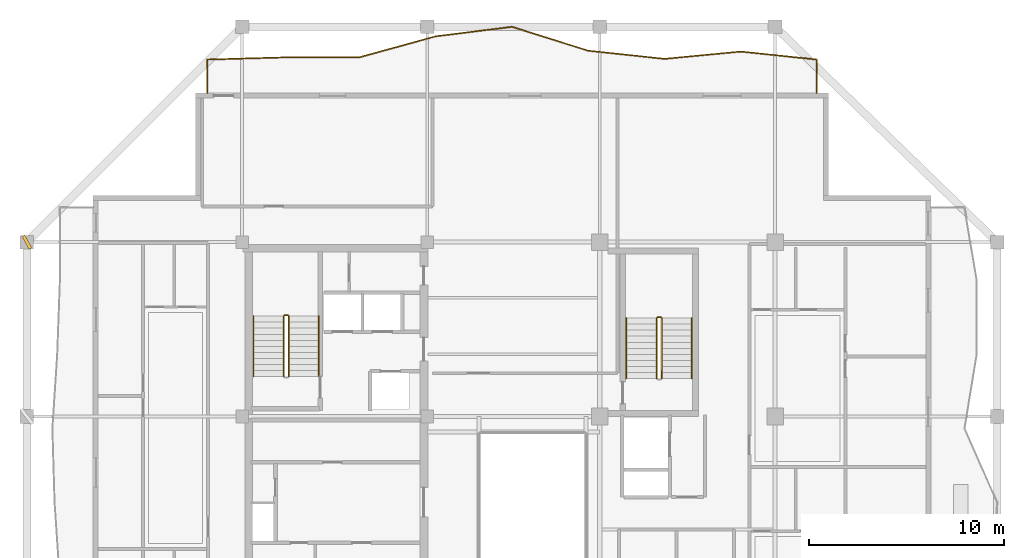
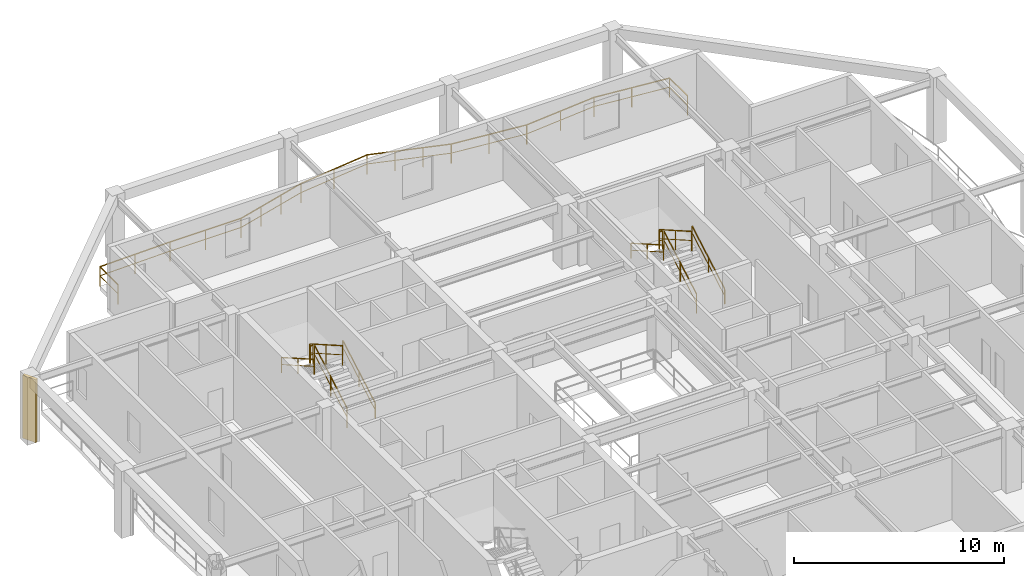
# One storey, part 11 of 12: 11 railings, 1 shading device.
"""IFC4 building model written with IfcOpenShell, lengths in metres."""

from ifc_helpers import new_model, si_unit, direction, frame, origin, origin_2d, place, context, subcontext, project, spatial, rectangle, extrude, material, type_object, element, save


model = new_model("IFC4")

# Units and contexts
model_context = context("Model", 3, precision=1e-05, world=origin(), true_north=direction((0.0, 1.0)))
body_context = subcontext(model_context, "Body", "Model", "MODEL_VIEW")
ifc_project = project(units=[si_unit("LENGTHUNIT", "METRE"), si_unit("AREAUNIT", "SQUARE_METRE"), si_unit("VOLUMEUNIT", "CUBIC_METRE"), si_unit("PLANEANGLEUNIT", "RADIAN"), si_unit("MASSUNIT", "GRAM", prefix="KILO")], contexts=[model_context])

# Site, building, storey
site_placement = place(None, origin())
site = spatial("IfcSite", under=ifc_project, at=site_placement, CompositionType="ELEMENT")
building_placement = place(site_placement, origin())
building = spatial("IfcBuilding", under=site, at=building_placement, Name="Kundavana Baori Tower", CompositionType="ELEMENT")
storey_placement = place(building_placement, frame((0.0, 0.0, 241.39990234375)))
storey = spatial("IfcBuildingStorey", under=building, at=storey_placement, Name="L59", CompositionType="ELEMENT", Elevation=241.39990234375)

# Railings
ifc_material_1 = material(Name="Architectural Patinated Bronze Metalwork")
railing_type_1 = type_object("IfcRailingType", Name="RL-BAL-1150", PredefinedType="BALUSTRADE", material=ifc_material_1)
railing_1_placement = place(storey_placement, frame((13.64990234375, 49.60009765625, 0.0)))
element("IfcRailing", 1, at=railing_1_placement, inside=storey, type_object=railing_type_1, Name="L59 Loggia Balcony Balustrade N", PredefinedType="BALUSTRADE", context=body_context, shape_type="SweptSolid", body=[
    extrude(rectangle(XDim=0.048095703125, YDim=0.048095703125, at=origin_2d()), frame((0.0, 0.0, 1.1259765625), z_axis=(0.0, 1.0, 0.0), x_axis=(-1.0, 0.0, 0.0)), (0.0, 0.0, 1.0), 1.719970703125),
    extrude(rectangle(XDim=0.03125, YDim=0.03125, at=origin_2d()), frame((0.0, 0.0, 0.597900390625), z_axis=(0.0, 1.0, 0.0), x_axis=(-1.0, 0.0, 0.0)), (0.0, 0.0, 1.0), 1.719970703125),
    extrude(rectangle(XDim=0.048095703125, YDim=0.048095703125, at=origin_2d()), frame((0.0, 1.719970703125, 1.1259765625), z_axis=(0.999598876166, 0.028321136407, 0.0), x_axis=(-0.028321136407, 0.999598876166, 0.0)), (0.0, 0.0, 1.0), 3.91357421875),
    extrude(rectangle(XDim=0.03125, YDim=0.03125, at=origin_2d()), frame((0.0, 1.719970703125, 0.597900390625), z_axis=(0.999598876166, 0.028321136407, 0.0), x_axis=(-0.028321136407, 0.999598876166, 0.0)), (0.0, 0.0, 1.0), 3.91357421875),
    extrude(rectangle(XDim=0.048095703125, YDim=0.048095703125, at=origin_2d()), frame((3.912109375, 1.830810546875, 1.1259765625), z_axis=(0.99999836316, 0.001809330704, 0.0), x_axis=(-0.001809330704, 0.99999836316, 0.0)), (0.0, 0.0, 1.0), 3.9130859375),
    extrude(rectangle(XDim=0.03125, YDim=0.03125, at=origin_2d()), frame((3.912109375, 1.830810546875, 0.597900390625), z_axis=(0.99999836316, 0.001809330704, 0.0), x_axis=(-0.001809330704, 0.99999836316, 0.0)), (0.0, 0.0, 1.0), 3.9130859375),
    extrude(rectangle(XDim=0.048095703125, YDim=0.048095703125, at=origin_2d()), frame((7.8251953125, 1.837890625, 1.1259765625), z_axis=(0.964150387558, 0.26535642101, 0.0), x_axis=(-0.26535642101, 0.964150387558, 0.0)), (0.0, 0.0, 1.0), 4.058349609375),
    extrude(rectangle(XDim=0.03125, YDim=0.03125, at=origin_2d()), frame((7.8251953125, 1.837890625, 0.597900390625), z_axis=(0.964150387558, 0.26535642101, 0.0), x_axis=(-0.26535642101, 0.964150387558, 0.0)), (0.0, 0.0, 1.0), 4.058349609375),
    extrude(rectangle(XDim=0.048095703125, YDim=0.048095703125, at=origin_2d()), frame((11.738037109375, 2.914794921875, 1.1259765625), z_axis=(0.992399355567, 0.12305900646, 0.0), x_axis=(-0.12305900646, 0.992399355567, 0.0)), (0.0, 0.0, 1.0), 3.942138671875),
    extrude(rectangle(XDim=0.03125, YDim=0.03125, at=origin_2d()), frame((11.738037109375, 2.914794921875, 0.597900390625), z_axis=(0.992399355567, 0.12305900646, 0.0), x_axis=(-0.12305900646, 0.992399355567, 0.0)), (0.0, 0.0, 1.0), 3.942138671875),
    extrude(rectangle(XDim=0.048095703125, YDim=0.048095703125, at=origin_2d()), frame((15.650146484375, 3.39990234375, 1.1259765625), z_axis=(0.954317732276, -0.298793684443, 0.0), x_axis=(0.298793684443, 0.954317732276, 0.0)), (0.0, 0.0, 1.0), 4.10009765625),
    extrude(rectangle(XDim=0.03125, YDim=0.03125, at=origin_2d()), frame((15.650146484375, 3.39990234375, 0.597900390625), z_axis=(0.954317732276, -0.298793684443, 0.0), x_axis=(0.298793684443, 0.954317732276, 0.0)), (0.0, 0.0, 1.0), 4.10009765625),
    extrude(rectangle(XDim=0.048095703125, YDim=0.048095703125, at=origin_2d()), frame((19.56298828125, 2.1748046875, 1.1259765625), z_axis=(0.994341035776, -0.106235138121, 0.0), x_axis=(0.106235138121, 0.994341035776, 0.0)), (0.0, 0.0, 1.0), 3.934326171875),
    extrude(rectangle(XDim=0.03125, YDim=0.03125, at=origin_2d()), frame((19.56298828125, 2.1748046875, 0.597900390625), z_axis=(0.994341035776, -0.106235138121, 0.0), x_axis=(0.106235138121, 0.994341035776, 0.0)), (0.0, 0.0, 1.0), 3.934326171875),
    extrude(rectangle(XDim=0.048095703125, YDim=0.048095703125, at=origin_2d()), frame((23.47509765625, 1.7568359375, 1.1259765625), z_axis=(0.995463034765, 0.095149074698, 0.0), x_axis=(-0.095149074698, 0.995463034765, 0.0)), (0.0, 0.0, 1.0), 3.930908203125),
    extrude(rectangle(XDim=0.03125, YDim=0.03125, at=origin_2d()), frame((23.47509765625, 1.7568359375, 0.597900390625), z_axis=(0.995463034765, 0.095149074698, 0.0), x_axis=(-0.095149074698, 0.995463034765, 0.0)), (0.0, 0.0, 1.0), 3.930908203125),
    extrude(rectangle(XDim=0.048095703125, YDim=0.048095703125, at=origin_2d()), frame((27.38818359375, 2.130859375, 1.1259765625), z_axis=(0.994528895054, -0.104461844247, 0.0), x_axis=(0.104461844247, 0.994528895054, 0.0)), (0.0, 0.0, 1.0), 3.933349609375),
    extrude(rectangle(XDim=0.03125, YDim=0.03125, at=origin_2d()), frame((27.38818359375, 2.130859375, 0.597900390625), z_axis=(0.994528895054, -0.104461844247, 0.0), x_axis=(0.104461844247, 0.994528895054, 0.0)), (0.0, 0.0, 1.0), 3.933349609375),
    extrude(rectangle(XDim=0.048095703125, YDim=0.048095703125, at=origin_2d()), frame((31.300048828125, 1.719970703125, 1.1259765625), z_axis=(0.0, -1.0, 0.0), x_axis=(1.0, 0.0, 0.0)), (0.0, 0.0, 1.0), 1.719970703125),
    extrude(rectangle(XDim=0.03125, YDim=0.03125, at=origin_2d()), frame((31.300048828125, 1.719970703125, 0.597900390625), z_axis=(0.0, -1.0, 0.0), x_axis=(1.0, 0.0, 0.0)), (0.0, 0.0, 1.0), 1.719970703125),
    extrude(rectangle(XDim=0.0419921875, YDim=0.0419921875, at=origin_2d()), origin(), (0.0, 0.0, 1.0), 1.101806640625),
    extrude(rectangle(XDim=0.0419921875, YDim=0.0419921875, at=origin_2d()), frame((0.0, 1.719970703125, 0.0)), (0.0, 0.0, 1.0), 1.101806640625),
    extrude(rectangle(XDim=0.0419921875, YDim=0.0419921875, at=origin_2d()), frame((1.9560546875, 1.775390625, 0.0)), (0.0, 0.0, 1.0), 1.101806640625),
    extrude(rectangle(XDim=0.0419921875, YDim=0.0419921875, at=origin_2d()), frame((3.912109375, 1.830810546875, 0.0)), (0.0, 0.0, 1.0), 1.101806640625),
    extrude(rectangle(XDim=0.0419921875, YDim=0.0419921875, at=origin_2d()), frame((5.86865234375, 1.83447265625, 0.0)), (0.0, 0.0, 1.0), 1.101806640625),
    extrude(rectangle(XDim=0.0419921875, YDim=0.0419921875, at=origin_2d()), frame((7.8251953125, 1.837890625, 0.0)), (0.0, 0.0, 1.0), 1.101806640625),
    extrude(rectangle(XDim=0.0419921875, YDim=0.0419921875, at=origin_2d()), frame((9.12939453125, 2.19677734375, 0.0)), (0.0, 0.0, 1.0), 1.101806640625),
    extrude(rectangle(XDim=0.0419921875, YDim=0.0419921875, at=origin_2d()), frame((10.433837890625, 2.555908203125, 0.0)), (0.0, 0.0, 1.0), 1.101806640625),
    extrude(rectangle(XDim=0.0419921875, YDim=0.0419921875, at=origin_2d()), frame((11.738037109375, 2.914794921875, 0.0)), (0.0, 0.0, 1.0), 1.101806640625),
    extrude(rectangle(XDim=0.0419921875, YDim=0.0419921875, at=origin_2d()), frame((13.694091796875, 3.1572265625, 0.0)), (0.0, 0.0, 1.0), 1.101806640625),
    extrude(rectangle(XDim=0.0419921875, YDim=0.0419921875, at=origin_2d()), frame((15.650146484375, 3.39990234375, 0.0)), (0.0, 0.0, 1.0), 1.101806640625),
    extrude(rectangle(XDim=0.0419921875, YDim=0.0419921875, at=origin_2d()), frame((16.954345703125, 2.991455078125, 0.0)), (0.0, 0.0, 1.0), 1.101806640625),
    extrude(rectangle(XDim=0.0419921875, YDim=0.0419921875, at=origin_2d()), frame((18.2587890625, 2.583251953125, 0.0)), (0.0, 0.0, 1.0), 1.101806640625),
    extrude(rectangle(XDim=0.0419921875, YDim=0.0419921875, at=origin_2d()), frame((19.56298828125, 2.1748046875, 0.0)), (0.0, 0.0, 1.0), 1.101806640625),
    extrude(rectangle(XDim=0.0419921875, YDim=0.0419921875, at=origin_2d()), frame((21.51904296875, 1.9658203125, 0.0)), (0.0, 0.0, 1.0), 1.101806640625),
    extrude(rectangle(XDim=0.0419921875, YDim=0.0419921875, at=origin_2d()), frame((23.47509765625, 1.7568359375, 0.0)), (0.0, 0.0, 1.0), 1.101806640625),
    extrude(rectangle(XDim=0.0419921875, YDim=0.0419921875, at=origin_2d()), frame((25.431640625, 1.94384765625, 0.0)), (0.0, 0.0, 1.0), 1.101806640625),
    extrude(rectangle(XDim=0.0419921875, YDim=0.0419921875, at=origin_2d()), frame((27.38818359375, 2.130859375, 0.0)), (0.0, 0.0, 1.0), 1.101806640625),
    extrude(rectangle(XDim=0.0419921875, YDim=0.0419921875, at=origin_2d()), frame((29.34423828125, 1.92529296875, 0.0)), (0.0, 0.0, 1.0), 1.101806640625),
    extrude(rectangle(XDim=0.0419921875, YDim=0.0419921875, at=origin_2d()), frame((31.300048828125, 1.719970703125, 0.0)), (0.0, 0.0, 1.0), 1.101806640625),
    extrude(rectangle(XDim=0.0419921875, YDim=0.0419921875, at=origin_2d()), frame((31.300048828125, 0.0, 0.0)), (0.0, 0.0, 1.0), 1.101806640625),
])
ifc_material_2 = material(Name="Architectural Patinated Bronze Metalwork")
railing_type_2 = type_object("IfcRailingType", Name="RL-GRD-1150", PredefinedType="GUARDRAIL", material=ifc_material_2)
railing_2_placement = place(storey_placement, frame((17.840087890625, 35.050048828125, 0.177490234375)))
element("IfcRailing", 2, at=railing_2_placement, inside=storey, type_object=railing_type_2, Name="L59 ST2 stair guard 1", PredefinedType="GUARDRAIL", context=body_context, shape_type="SweptSolid", body=[
    extrude(rectangle(XDim=0.048095703125, YDim=0.048095703125, at=origin_2d()), frame((0.0, 0.0, 1.1259765625), z_axis=(0.0, 0.868079009454, 0.496426060301), x_axis=(-1.0, 0.0, 0.0)), (0.0, 0.0, 1.0), 3.571044921875),
    extrude(rectangle(XDim=0.03125, YDim=0.03125, at=origin_2d()), frame((0.0, 0.0, 0.597900390625), z_axis=(0.0, 0.868079009454, 0.496426060301), x_axis=(-1.0, 0.0, 0.0)), (0.0, 0.0, 1.0), 3.571044921875),
    extrude(rectangle(XDim=0.0419921875, YDim=0.0419921875, at=origin_2d()), origin(), (0.0, 0.0, 1.0), 1.101806640625),
    extrude(rectangle(XDim=0.0419921875, YDim=0.0419921875, at=origin_2d()), frame((0.0, 1.5498046875, 0.88623046875)), (0.0, 0.0, 1.0), 1.101806640625),
    extrude(rectangle(XDim=0.0419921875, YDim=0.0419921875, at=origin_2d()), frame((0.0, 3.099853515625, 1.772705078125)), (0.0, 0.0, 1.0), 1.101806640625),
])
railing_3_placement = place(storey_placement, frame((17.7900390625, 38.199951171875, 1.9501953125)))
element("IfcRailing", 3, at=railing_3_placement, inside=storey, type_object=railing_type_2, Name="L59 ST2 stair guard 2", PredefinedType="GUARDRAIL", context=body_context, shape_type="SweptSolid", body=[
    extrude(rectangle(XDim=0.048095703125, YDim=0.048095703125, at=origin_2d()), frame((0.0, 0.0, 1.1259765625), z_axis=(-1.0, 0.0, 0.0), x_axis=(0.0, -1.0, 0.0)), (0.0, 0.0, 1.0), 0.16015625),
    extrude(rectangle(XDim=0.03125, YDim=0.03125, at=origin_2d()), frame((0.0, 0.0, 0.597900390625), z_axis=(-1.0, 0.0, 0.0), x_axis=(0.0, -1.0, 0.0)), (0.0, 0.0, 1.0), 0.16015625),
    extrude(rectangle(XDim=0.0419921875, YDim=0.0419921875, at=origin_2d()), origin(), (0.0, 0.0, 1.0), 1.101806640625),
    extrude(rectangle(XDim=0.0419921875, YDim=0.0419921875, at=origin_2d()), frame((-0.16015625, 0.0, 0.0)), (0.0, 0.0, 1.0), 1.101806640625),
])
railing_4_placement = place(storey_placement, frame((17.580078125, 38.14990234375, 2.12744140625)))
element("IfcRailing", 4, at=railing_4_placement, inside=storey, type_object=railing_type_2, Name="L59 ST2 stair guard 3", PredefinedType="GUARDRAIL", context=body_context, shape_type="SweptSolid", body=[
    extrude(rectangle(XDim=0.048095703125, YDim=0.048095703125, at=origin_2d()), frame((0.0, 0.0, 1.1259765625), z_axis=(0.0, -0.868079009454, 0.496426060301), x_axis=(1.0, 0.0, 0.0)), (0.0, 0.0, 1.0), 3.571044921875),
    extrude(rectangle(XDim=0.03125, YDim=0.03125, at=origin_2d()), frame((0.0, 0.0, 0.597900390625), z_axis=(0.0, -0.868079009454, 0.496426060301), x_axis=(1.0, 0.0, 0.0)), (0.0, 0.0, 1.0), 3.571044921875),
    extrude(rectangle(XDim=0.0419921875, YDim=0.0419921875, at=origin_2d()), origin(), (0.0, 0.0, 1.0), 1.101806640625),
    extrude(rectangle(XDim=0.0419921875, YDim=0.0419921875, at=origin_2d()), frame((0.0, -1.5498046875, 0.88623046875)), (0.0, 0.0, 1.0), 1.101806640625),
    extrude(rectangle(XDim=0.0419921875, YDim=0.0419921875, at=origin_2d()), frame((0.0, -3.099853515625, 1.772705078125)), (0.0, 0.0, 1.0), 1.101806640625),
])
railing_5_placement = place(storey_placement, frame((36.97998046875, 34.949951171875, 0.177490234375)))
element("IfcRailing", 5, at=railing_5_placement, inside=storey, type_object=railing_type_2, Name="L59 ST3 stair guard 1", PredefinedType="GUARDRAIL", context=body_context, shape_type="SweptSolid", body=[
    extrude(rectangle(XDim=0.048095703125, YDim=0.048095703125, at=origin_2d()), frame((0.0, 0.0, 1.1259765625), z_axis=(0.0, 0.868095856688, 0.496396599103), x_axis=(-1.0, 0.0, 0.0)), (0.0, 0.0, 1.0), 3.571044921875),
    extrude(rectangle(XDim=0.03125, YDim=0.03125, at=origin_2d()), frame((0.0, 0.0, 0.597900390625), z_axis=(0.0, 0.868095856688, 0.496396599103), x_axis=(-1.0, 0.0, 0.0)), (0.0, 0.0, 1.0), 3.571044921875),
    extrude(rectangle(XDim=0.0419921875, YDim=0.0419921875, at=origin_2d()), origin(), (0.0, 0.0, 1.0), 1.101806640625),
    extrude(rectangle(XDim=0.0419921875, YDim=0.0419921875, at=origin_2d()), frame((0.0, 1.550048828125, 0.88623046875)), (0.0, 0.0, 1.0), 1.101806640625),
    extrude(rectangle(XDim=0.0419921875, YDim=0.0419921875, at=origin_2d()), frame((0.0, 3.10009765625, 1.772705078125)), (0.0, 0.0, 1.0), 1.101806640625),
])
railing_6_placement = place(storey_placement, frame((36.929931640625, 38.10009765625, 1.9501953125)))
element("IfcRailing", 6, at=railing_6_placement, inside=storey, type_object=railing_type_2, Name="L59 ST3 stair guard 2", PredefinedType="GUARDRAIL", context=body_context, shape_type="SweptSolid", body=[
    extrude(rectangle(XDim=0.048095703125, YDim=0.048095703125, at=origin_2d()), frame((0.0, 0.0, 1.1259765625), z_axis=(-1.0, 0.0, 0.0), x_axis=(0.0, -1.0, 0.0)), (0.0, 0.0, 1.0), 0.159912109375),
    extrude(rectangle(XDim=0.03125, YDim=0.03125, at=origin_2d()), frame((0.0, 0.0, 0.597900390625), z_axis=(-1.0, 0.0, 0.0), x_axis=(0.0, -1.0, 0.0)), (0.0, 0.0, 1.0), 0.159912109375),
    extrude(rectangle(XDim=0.0419921875, YDim=0.0419921875, at=origin_2d()), origin(), (0.0, 0.0, 1.0), 1.101806640625),
    extrude(rectangle(XDim=0.0419921875, YDim=0.0419921875, at=origin_2d()), frame((-0.159912109375, 0.0, 0.0)), (0.0, 0.0, 1.0), 1.101806640625),
])
railing_7_placement = place(storey_placement, frame((36.719970703125, 38.050048828125, 2.12744140625)))
element("IfcRailing", 7, at=railing_7_placement, inside=storey, type_object=railing_type_2, Name="L59 ST3 stair guard 3", PredefinedType="GUARDRAIL", context=body_context, shape_type="SweptSolid", body=[
    extrude(rectangle(XDim=0.048095703125, YDim=0.048095703125, at=origin_2d()), frame((0.0, 0.0, 1.1259765625), z_axis=(0.0, -0.868095856688, 0.496396599103), x_axis=(1.0, 0.0, 0.0)), (0.0, 0.0, 1.0), 3.571044921875),
    extrude(rectangle(XDim=0.03125, YDim=0.03125, at=origin_2d()), frame((0.0, 0.0, 0.597900390625), z_axis=(0.0, -0.868095856688, 0.496396599103), x_axis=(1.0, 0.0, 0.0)), (0.0, 0.0, 1.0), 3.571044921875),
    extrude(rectangle(XDim=0.0419921875, YDim=0.0419921875, at=origin_2d()), origin(), (0.0, 0.0, 1.0), 1.101806640625),
    extrude(rectangle(XDim=0.0419921875, YDim=0.0419921875, at=origin_2d()), frame((0.0, -1.550048828125, 0.88623046875)), (0.0, 0.0, 1.0), 1.101806640625),
    extrude(rectangle(XDim=0.0419921875, YDim=0.0419921875, at=origin_2d()), frame((0.0, -3.10009765625, 1.772705078125)), (0.0, 0.0, 1.0), 1.101806640625),
])
ifc_material_3 = material(Name="Architectural Patinated Bronze Metalwork")
railing_type_3 = type_object("IfcRailingType", Name="RL-HND-920", PredefinedType="HANDRAIL", material=ifc_material_3)
railing_8_placement = place(storey_placement, frame((19.389892578125, 35.050048828125, 0.177490234375)))
element("IfcRailing", 8, at=railing_8_placement, inside=storey, type_object=railing_type_3, Name="L59 ST2 stair handrail 1", PredefinedType="HANDRAIL", context=body_context, shape_type="SweptSolid", body=[
    extrude(rectangle(XDim=0.048095703125, YDim=0.048095703125, at=origin_2d()), frame((0.0, 0.0, 0.8759765625), z_axis=(0.0, 0.868079009454, 0.496426060301), x_axis=(-1.0, 0.0, 0.0)), (0.0, 0.0, 1.0), 3.571044921875),
    extrude(rectangle(XDim=0.03125, YDim=0.03125, at=origin_2d()), frame((0.0, 0.0, 0.468017578125), z_axis=(0.0, 0.868079009454, 0.496426060301), x_axis=(-1.0, 0.0, 0.0)), (0.0, 0.0, 1.0), 3.571044921875),
    extrude(rectangle(XDim=0.0419921875, YDim=0.0419921875, at=origin_2d()), origin(), (0.0, 0.0, 1.0), 0.851806640625),
    extrude(rectangle(XDim=0.0419921875, YDim=0.0419921875, at=origin_2d()), frame((0.0, 1.5498046875, 0.88623046875)), (0.0, 0.0, 1.0), 0.851806640625),
    extrude(rectangle(XDim=0.0419921875, YDim=0.0419921875, at=origin_2d()), frame((0.0, 3.099853515625, 1.772705078125)), (0.0, 0.0, 1.0), 0.851806640625),
])
railing_9_placement = place(storey_placement, frame((16.030029296875, 38.14990234375, 2.12744140625)))
element("IfcRailing", 9, at=railing_9_placement, inside=storey, type_object=railing_type_3, Name="L59 ST2 stair handrail 2", PredefinedType="HANDRAIL", context=body_context, shape_type="SweptSolid", body=[
    extrude(rectangle(XDim=0.048095703125, YDim=0.048095703125, at=origin_2d()), frame((0.0, 0.0, 0.8759765625), z_axis=(0.0, -0.868079009454, 0.496426060301), x_axis=(1.0, 0.0, 0.0)), (0.0, 0.0, 1.0), 3.571044921875),
    extrude(rectangle(XDim=0.03125, YDim=0.03125, at=origin_2d()), frame((0.0, 0.0, 0.468017578125), z_axis=(0.0, -0.868079009454, 0.496426060301), x_axis=(1.0, 0.0, 0.0)), (0.0, 0.0, 1.0), 3.571044921875),
    extrude(rectangle(XDim=0.0419921875, YDim=0.0419921875, at=origin_2d()), origin(), (0.0, 0.0, 1.0), 0.851806640625),
    extrude(rectangle(XDim=0.0419921875, YDim=0.0419921875, at=origin_2d()), frame((0.0, -1.5498046875, 0.88623046875)), (0.0, 0.0, 1.0), 0.851806640625),
    extrude(rectangle(XDim=0.0419921875, YDim=0.0419921875, at=origin_2d()), frame((0.0, -3.099853515625, 1.772705078125)), (0.0, 0.0, 1.0), 0.851806640625),
])
railing_10_placement = place(storey_placement, frame((38.530029296875, 34.949951171875, 0.177490234375)))
element("IfcRailing", 10, at=railing_10_placement, inside=storey, type_object=railing_type_3, Name="L59 ST3 stair handrail 1", PredefinedType="HANDRAIL", context=body_context, shape_type="SweptSolid", body=[
    extrude(rectangle(XDim=0.048095703125, YDim=0.048095703125, at=origin_2d()), frame((0.0, 0.0, 0.8759765625), z_axis=(0.0, 0.868095856688, 0.496396599103), x_axis=(-1.0, 0.0, 0.0)), (0.0, 0.0, 1.0), 3.571044921875),
    extrude(rectangle(XDim=0.03125, YDim=0.03125, at=origin_2d()), frame((0.0, 0.0, 0.468017578125), z_axis=(0.0, 0.868095856688, 0.496396599103), x_axis=(-1.0, 0.0, 0.0)), (0.0, 0.0, 1.0), 3.571044921875),
    extrude(rectangle(XDim=0.0419921875, YDim=0.0419921875, at=origin_2d()), origin(), (0.0, 0.0, 1.0), 0.851806640625),
    extrude(rectangle(XDim=0.0419921875, YDim=0.0419921875, at=origin_2d()), frame((0.0, 1.550048828125, 0.88623046875)), (0.0, 0.0, 1.0), 0.851806640625),
    extrude(rectangle(XDim=0.0419921875, YDim=0.0419921875, at=origin_2d()), frame((0.0, 3.10009765625, 1.772705078125)), (0.0, 0.0, 1.0), 0.851806640625),
])
railing_11_placement = place(storey_placement, frame((35.169921875, 38.050048828125, 2.12744140625)))
element("IfcRailing", 11, at=railing_11_placement, inside=storey, type_object=railing_type_3, Name="L59 ST3 stair handrail 2", PredefinedType="HANDRAIL", context=body_context, shape_type="SweptSolid", body=[
    extrude(rectangle(XDim=0.048095703125, YDim=0.048095703125, at=origin_2d()), frame((0.0, 0.0, 0.8759765625), z_axis=(0.0, -0.868095856688, 0.496396599103), x_axis=(1.0, 0.0, 0.0)), (0.0, 0.0, 1.0), 3.571044921875),
    extrude(rectangle(XDim=0.03125, YDim=0.03125, at=origin_2d()), frame((0.0, 0.0, 0.468017578125), z_axis=(0.0, -0.868095856688, 0.496396599103), x_axis=(1.0, 0.0, 0.0)), (0.0, 0.0, 1.0), 3.571044921875),
    extrude(rectangle(XDim=0.0419921875, YDim=0.0419921875, at=origin_2d()), origin(), (0.0, 0.0, 1.0), 0.851806640625),
    extrude(rectangle(XDim=0.0419921875, YDim=0.0419921875, at=origin_2d()), frame((0.0, -1.550048828125, 0.88623046875)), (0.0, 0.0, 1.0), 0.851806640625),
    extrude(rectangle(XDim=0.0419921875, YDim=0.0419921875, at=origin_2d()), frame((0.0, -3.10009765625, 1.772705078125)), (0.0, 0.0, 1.0), 0.851806640625),
])

# Shading device
ifc_material_4 = material(Name="Red-Buff Dholpur Sandstone Cladding on Concrete C40/50", Category="masonry")
shading_device_type = type_object("IfcShadingDeviceType", Name="SHD-FIN-750", PredefinedType="JALOUSIE", material=ifc_material_4)
shading_device_placement = place(storey_placement, frame((4.39990234375, 41.949951171875, 0.0), z_axis=(0.0, 0.0, 1.0), x_axis=(0.880229000821, 0.474549160903, 0.0)))
element("IfcShadingDevice", 12, at=shading_device_placement, inside=storey, type_object=shading_device_type, Name="L59 Sweeping Dholpur Sandstone Facade Fin 8", PredefinedType="JALOUSIE", context=body_context, shape_type="SweptSolid", body=[
    extrude(rectangle(XDim=0.159912109375, YDim=0.75, at=origin_2d()), origin(), (0.0, 0.0, 1.0), 3.659912109375),
])

save(model, "model.ifc")
